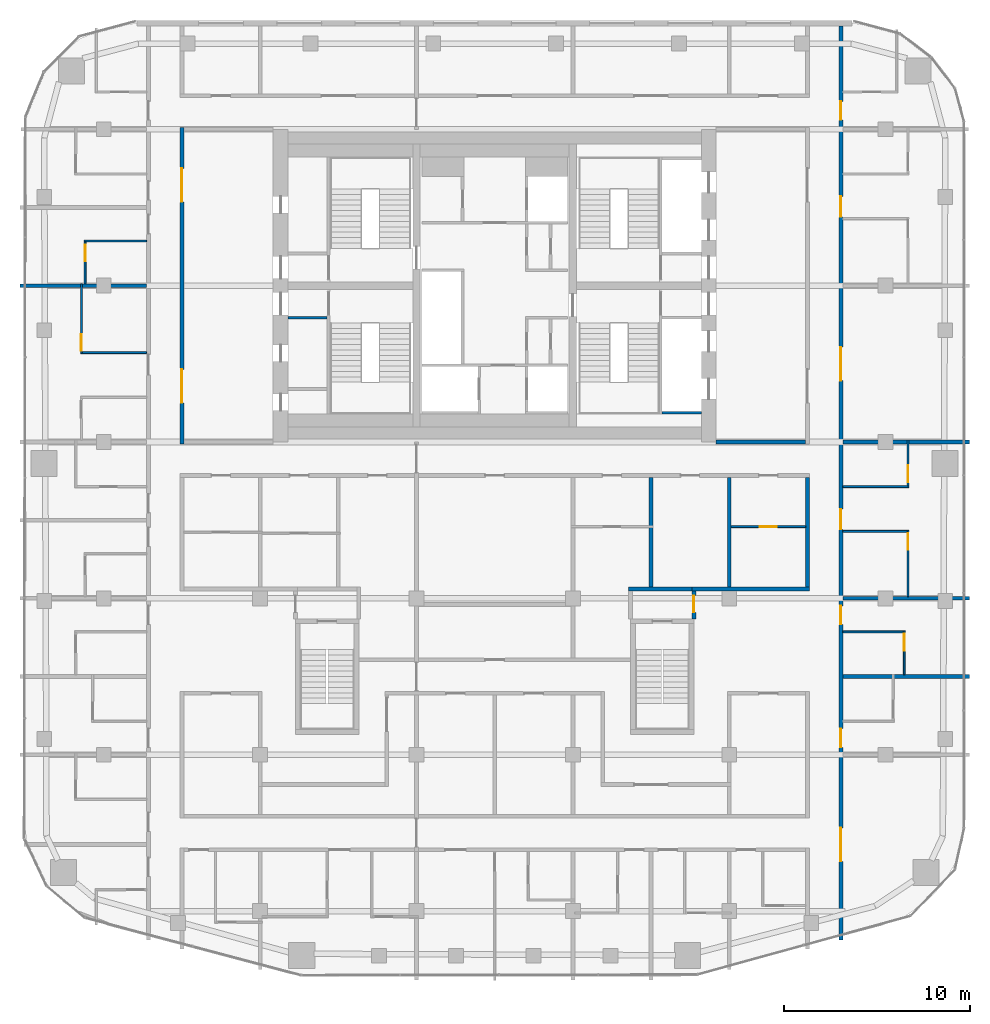
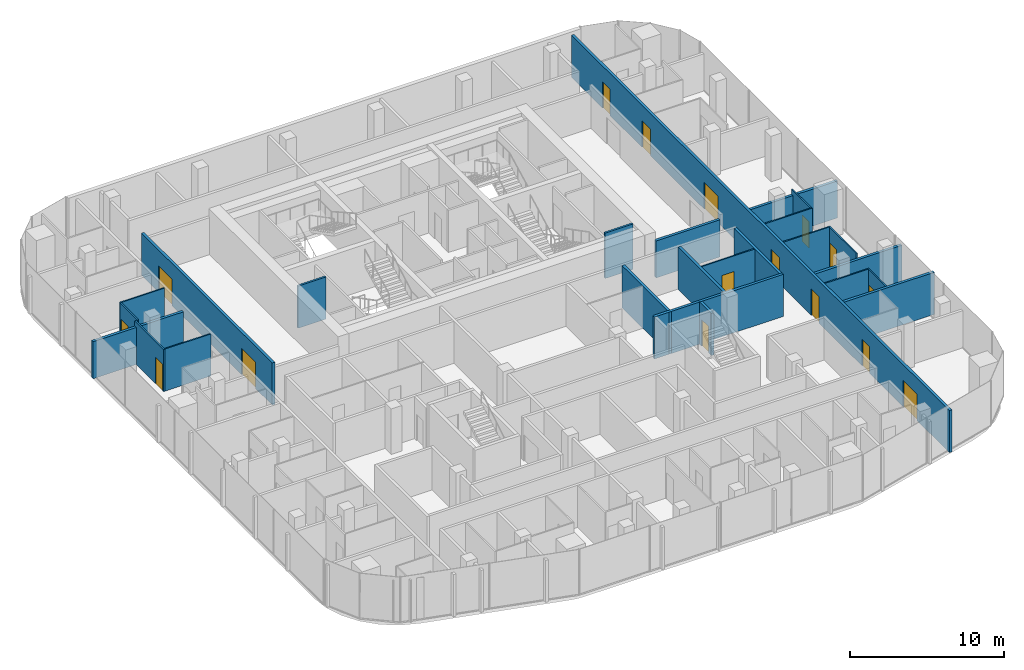
# One storey, part 17 of 22: 26 walls, 16 doors, 16 openings.
"""IFC4 building model written with IfcOpenShell, lengths in metres."""

from ifc_helpers import new_model, si_unit, direction, frame, frame_2d, origin, place, context, subcontext, project, spatial, rectangle, extrude, material, layer, layer_set, type_object, element, fill, save


model = new_model("IFC4")

# Units and contexts
model_context = context("Model", 3, precision=1e-05, world=origin(), true_north=direction((0.0, 1.0)))
body_context = subcontext(model_context, "Body", "Model", "MODEL_VIEW")
ifc_project = project(units=[si_unit("LENGTHUNIT", "METRE"), si_unit("AREAUNIT", "SQUARE_METRE"), si_unit("VOLUMEUNIT", "CUBIC_METRE"), si_unit("PLANEANGLEUNIT", "RADIAN"), si_unit("MASSUNIT", "GRAM", prefix="KILO")], contexts=[model_context])

# Site, building, storey
site_placement = place(None, origin())
site = spatial("IfcSite", under=ifc_project, at=site_placement, CompositionType="ELEMENT")
building_placement = place(site_placement, origin())
building = spatial("IfcBuilding", under=site, at=building_placement, Name="Marenta Gate Hotel Tower", CompositionType="ELEMENT")
storey_placement = place(building_placement, frame((0.0, 0.0, 223.699951171875)))
storey = spatial("IfcBuildingStorey", under=building, at=storey_placement, Name="L52", CompositionType="ELEMENT", Elevation=223.699951171875)

# Wall, openings, doors
ifc_material_1 = material(Name="Concrete blockwork", Category="masonry")
ifc_layer_1 = layer(ifc_material_1, 0.199951171875)
ifc_layer_set_1 = layer_set([ifc_layer_1], Name="Concrete blockwork")
wall_type_1 = type_object("IfcWallType", Name="Core boundary wall 200 REI 180", PredefinedType="PARTITIONING", material=ifc_layer_set_1)
wall_1_placement = place(storey_placement, frame((-16.800048828125, -0.10009765625, 0.0), z_axis=(0.0, 0.0, 1.0), x_axis=(0.0, 1.0, 0.0)))
wall_1 = element("IfcWall", 1, at=wall_1_placement, inside=storey, type_object=wall_type_1, Name="L52-CP-BW-W", PredefinedType="PARTITIONING", context=body_context, shape_type="SweptSolid", body=[
    extrude(rectangle(XDim=17.0, YDim=0.199951171875, at=frame_2d((8.5, 0.0))), origin(), (0.0, 0.0, 1.0), 3.340087890625),
])
opening_1_placement = place(wall_1_placement, frame((2.199951171875, 0.0, 0.0)))
opening_1 = element("IfcOpeningElement", 2, at=opening_1_placement, cuts=wall_1, Name="Opening ED-Wa-B", PredefinedType="OPENING", context=body_context, shape_type="SweptSolid", body=[
    extrude(rectangle(XDim=1.800048828125, YDim=2.10009765625, at=frame_2d((0.89990234375, 1.050048828125))), frame((0.0, 0.10009765625, 0.0), z_axis=(0.0, -1.0, 0.0), x_axis=(1.0, 0.0, 0.0)), (0.0, 0.0, 1.0), 0.199951171875),
])
opening_2_placement = place(wall_1_placement, frame((13.0, 0.0, 0.0)))
opening_2 = element("IfcOpeningElement", 3, at=opening_2_placement, cuts=wall_1, Name="Opening ED-Wb-B", PredefinedType="OPENING", context=body_context, shape_type="SweptSolid", body=[
    extrude(rectangle(XDim=1.800048828125, YDim=2.10009765625, at=frame_2d((0.89990234375, 1.050048828125))), frame((0.0, 0.10009765625, 0.0), z_axis=(0.0, -1.0, 0.0), x_axis=(1.0, 0.0, 0.0)), (0.0, 0.0, 1.0), 0.199951171875),
])
ifc_material_2 = material(Name="Steel", Category="steel")
door_type_1 = type_object("IfcDoorType", Name="Core lobby entrance door 1800x2100 EI 60", OperationType="DOUBLE_DOOR_SINGLE_SWING", PredefinedType="DOOR", material=ifc_material_2)
door_1_placement = place(opening_1_placement, origin())
door_1 = element("IfcDoor", 4, at=door_1_placement, inside=storey, type_object=door_type_1, Name="ED-Wa-B", OperationType="DOUBLE_DOOR_SINGLE_SWING", OverallHeight=2.10009765625, OverallWidth=1.800048828125, PredefinedType="DOOR", context=body_context, shape_type="SweptSolid", body=[
    extrude(rectangle(XDim=1.800048828125, YDim=2.10009765625, at=frame_2d((0.89990234375, 1.050048828125))), frame((0.0, 0.02490234375, 0.0), z_axis=(0.0, -1.0, 0.0), x_axis=(1.0, 0.0, 0.0)), (0.0, 0.0, 1.0), 0.050048828125),
])
fill(opening_1, door_1)
door_2_placement = place(opening_2_placement, origin())
door_2 = element("IfcDoor", 5, at=door_2_placement, inside=storey, type_object=door_type_1, Name="ED-Wb-B", OperationType="DOUBLE_DOOR_SINGLE_SWING", OverallHeight=2.10009765625, OverallWidth=1.800048828125, PredefinedType="DOOR", context=body_context, shape_type="SweptSolid", body=[
    extrude(rectangle(XDim=1.800048828125, YDim=2.10009765625, at=frame_2d((0.89990234375, 1.050048828125))), frame((0.0, 0.02490234375, 0.0), z_axis=(0.0, -1.0, 0.0), x_axis=(1.0, 0.0, 0.0)), (0.0, 0.0, 1.0), 0.050048828125),
])
fill(opening_2, door_2)

# Walls
wall_2_placement = place(storey_placement, frame((11.89990234375, 0.0, 0.0), z_axis=(0.0, 0.0, 1.0), x_axis=(1.0, 0.0, 0.0)))
element("IfcWall", 6, at=wall_2_placement, inside=storey, type_object=wall_type_1, Name="L52-CP-EW-ES", PredefinedType="PARTITIONING", context=body_context, shape_type="SweptSolid", body=[
    extrude(rectangle(XDim=4.800048828125, YDim=0.199951171875, at=frame_2d((2.39990234375, 0.0))), origin(), (0.0, 0.0, 1.0), 2.93994140625),
])
ifc_material_3 = material(Name="Concrete blockwork", Category="masonry")
ifc_layer_2 = layer(ifc_material_3, 0.14990234375)
ifc_layer_set_2 = layer_set([ifc_layer_2], Name="Concrete blockwork")
wall_type_2 = type_object("IfcWallType", Name="Core room partition 150 REI 180", PredefinedType="PARTITIONING", material=ifc_layer_set_2)
wall_3_placement = place(storey_placement, frame((-11.10009765625, 6.675048828125, 0.0), z_axis=(0.0, 0.0, 1.0), x_axis=(1.0, 0.0, 0.0)))
element("IfcWall", 7, at=wall_3_placement, inside=storey, type_object=wall_type_2, Name="L52-CP-SW-WS-2", PredefinedType="PARTITIONING", context=body_context, shape_type="SweptSolid", body=[
    extrude(rectangle(XDim=2.10009765625, YDim=0.14990234375, at=frame_2d((1.050048828125, 0.0))), origin(), (0.0, 0.0, 1.0), 3.340087890625),
])
ifc_material_4 = material(Name="Concrete C40", Category="concrete")
ifc_layer_3 = layer(ifc_material_4, 0.14990234375)
ifc_layer_set_3 = layer_set([ifc_layer_3], Name="Concrete C40")
wall_type_3 = type_object("IfcWallType", Name="Core shaft wall 150 REI 180", PredefinedType="SHEAR", material=ifc_layer_set_3)
wall_4_placement = place(storey_placement, frame((9.0, 1.574951171875, 0.0), z_axis=(0.0, 0.0, 1.0), x_axis=(1.0, 0.0, 0.0)))
element("IfcWall", 8, at=wall_4_placement, inside=storey, type_object=wall_type_3, Name="L52-SHF-SW-ES-5", PredefinedType="SHEAR", context=body_context, shape_type="SweptSolid", body=[
    extrude(rectangle(XDim=2.10009765625, YDim=0.14990234375, at=frame_2d((1.050048828125, 0.0))), origin(), (0.0, 0.0, 1.0), 3.60009765625),
])
ifc_material_5 = material(Name="Concrete blockwork", Category="masonry")
ifc_layer_4 = layer(ifc_material_5, 0.199951171875)
ifc_layer_set_4 = layer_set([ifc_layer_4], Name="Concrete blockwork")
wall_type_4 = type_object("IfcWallType", Name="Room corridor wall 200 EI 120", PredefinedType="PARTITIONING", material=ifc_layer_set_4)
wall_5_placement = place(storey_placement, frame((16.800048828125, -7.800048828125, 0.0), z_axis=(0.0, 0.0, 1.0), x_axis=(0.0, 1.0, 0.0)))
element("IfcWall", 9, at=wall_5_placement, inside=storey, type_object=wall_type_4, Name="L52-PTN-W026", PredefinedType="PARTITIONING", context=body_context, shape_type="SweptSolid", body=[
    extrude(rectangle(XDim=5.900146484375, YDim=0.199951171875, at=frame_2d((2.9501953125, 0.0))), origin(), (0.0, 0.0, 1.0), 3.340087890625),
])
wall_6_placement = place(storey_placement, frame((10.60009765625, -7.89990234375, 0.0), z_axis=(0.0, 0.0, 1.0), x_axis=(1.0, 0.0, 0.0)))
element("IfcWall", 10, at=wall_6_placement, inside=storey, type_object=wall_type_4, Name="L52-PTN-W054", PredefinedType="PARTITIONING", context=body_context, shape_type="SweptSolid", body=[
    extrude(rectangle(XDim=6.2998046875, YDim=0.199951171875, at=frame_2d((3.14990234375, 0.0))), origin(), (0.0, 0.0, 1.0), 3.340087890625),
])

# Wall, openings, doors
ifc_material_6 = material(Name="Gypsum board on steel stud", Category="steel")
ifc_layer_5 = layer(ifc_material_6, 0.199951171875)
ifc_layer_set_5 = layer_set([ifc_layer_5], Name="Gypsum board on steel stud")
wall_type_5 = type_object("IfcWallType", Name="Room corridor wall 200 EI 60", PredefinedType="PARTITIONING", material=ifc_layer_set_5)
wall_7_placement = place(storey_placement, frame((18.60009765625, -26.7509765625, 0.0), z_axis=(0.0, 0.0, 1.0), x_axis=(0.0, 1.0, 0.0)))
wall_7 = element("IfcWall", 11, at=wall_7_placement, inside=storey, type_object=wall_type_5, Name="L52-PTN-W021", PredefinedType="PARTITIONING", context=body_context, shape_type="SweptSolid", body=[
    extrude(rectangle(XDim=49.091064453125, YDim=0.199951171875, at=frame_2d((24.54541015625, 0.0))), origin(), (0.0, 0.0, 1.0), 3.340087890625),
])
opening_3_placement = place(wall_7_placement, frame((4.22607421875, 0.0, 0.0)))
opening_3 = element("IfcOpeningElement", 12, at=opening_3_placement, cuts=wall_7, Name="Opening G19-17", PredefinedType="OPENING", context=body_context, shape_type="SweptSolid", body=[
    extrude(rectangle(XDim=1.800048828125, YDim=2.10009765625, at=frame_2d((0.89990234375, 1.050048828125))), frame((0.0, 0.10009765625, 0.0), z_axis=(0.0, -1.0, 0.0), x_axis=(1.0, 0.0, 0.0)), (0.0, 0.0, 1.0), 0.199951171875),
])
opening_4_placement = place(wall_7_placement, frame((10.35107421875, 0.0, 0.0)))
opening_4 = element("IfcOpeningElement", 13, at=opening_4_placement, cuts=wall_7, Name="Opening G19-18", PredefinedType="OPENING", context=body_context, shape_type="SweptSolid", body=[
    extrude(rectangle(XDim=1.0, YDim=2.10009765625, at=frame_2d((0.5, 1.050048828125))), frame((0.0, 0.10009765625, 0.0), z_axis=(0.0, -1.0, 0.0), x_axis=(1.0, 0.0, 0.0)), (0.0, 0.0, 1.0), 0.199951171875),
])
opening_5_placement = place(wall_7_placement, frame((16.950927734375, 0.0, 0.0)))
opening_5 = element("IfcOpeningElement", 14, at=opening_5_placement, cuts=wall_7, Name="Opening G19-20", PredefinedType="OPENING", context=body_context, shape_type="SweptSolid", body=[
    extrude(rectangle(XDim=1.0, YDim=2.10009765625, at=frame_2d((0.5, 1.050048828125))), frame((0.0, 0.10009765625, 0.0), z_axis=(0.0, -1.0, 0.0), x_axis=(1.0, 0.0, 0.0)), (0.0, 0.0, 1.0), 0.199951171875),
])
opening_6_placement = place(wall_7_placement, frame((22.051025390625, 0.0, 0.0)))
opening_6 = element("IfcOpeningElement", 15, at=opening_6_placement, cuts=wall_7, Name="Opening G19-22", PredefinedType="OPENING", context=body_context, shape_type="SweptSolid", body=[
    extrude(rectangle(XDim=1.10009765625, YDim=2.10009765625, at=frame_2d((0.550048828125, 1.050048828125))), frame((0.0, 0.10009765625, 0.0), z_axis=(0.0, -1.0, 0.0), x_axis=(1.0, 0.0, 0.0)), (0.0, 0.0, 1.0), 0.199951171875),
])
opening_7_placement = place(wall_7_placement, frame((30.051025390625, 0.0, 0.0)))
opening_7 = element("IfcOpeningElement", 16, at=opening_7_placement, cuts=wall_7, Name="Opening G19-25", PredefinedType="OPENING", context=body_context, shape_type="SweptSolid", body=[
    extrude(rectangle(XDim=1.800048828125, YDim=2.10009765625, at=frame_2d((0.89990234375, 1.050048828125))), frame((0.0, 0.10009765625, 0.0), z_axis=(0.0, -1.0, 0.0), x_axis=(1.0, 0.0, 0.0)), (0.0, 0.0, 1.0), 0.199951171875),
])
opening_8_placement = place(wall_7_placement, frame((38.85107421875, 0.0, 0.0)))
opening_8 = element("IfcOpeningElement", 17, at=opening_8_placement, cuts=wall_7, Name="Opening G19-26", PredefinedType="OPENING", context=body_context, shape_type="SweptSolid", body=[
    extrude(rectangle(XDim=1.10009765625, YDim=2.10009765625, at=frame_2d((0.550048828125, 1.050048828125))), frame((0.0, 0.10009765625, 0.0), z_axis=(0.0, -1.0, 0.0), x_axis=(1.0, 0.0, 0.0)), (0.0, 0.0, 1.0), 0.199951171875),
])
opening_9_placement = place(wall_7_placement, frame((44.051025390625, 0.0, 0.0)))
opening_9 = element("IfcOpeningElement", 18, at=opening_9_placement, cuts=wall_7, Name="Opening G19-29", PredefinedType="OPENING", context=body_context, shape_type="SweptSolid", body=[
    extrude(rectangle(XDim=1.0, YDim=2.10009765625, at=frame_2d((0.5, 1.050048828125))), frame((0.0, 0.10009765625, 0.0), z_axis=(0.0, -1.0, 0.0), x_axis=(1.0, 0.0, 0.0)), (0.0, 0.0, 1.0), 0.199951171875),
])
ifc_material_7 = material(Name="Timber door leaf", Category="wood")
door_type_2 = type_object("IfcDoorType", Name="Guest room door 1000x2100 EI 30", OperationType="NOTDEFINED", PredefinedType="DOOR", material=ifc_material_7)
door_3_placement = place(opening_4_placement, origin())
door_3 = element("IfcDoor", 19, at=door_3_placement, inside=storey, type_object=door_type_2, Name="L52-PD-D018", OperationType="SINGLE_SWING_RIGHT", OverallHeight=2.10009765625, OverallWidth=1.0, PredefinedType="DOOR", context=body_context, shape_type="SweptSolid", body=[
    extrude(rectangle(XDim=1.0, YDim=2.10009765625, at=frame_2d((0.5, 1.050048828125))), frame((0.0, 0.02490234375, 0.0), z_axis=(0.0, -1.0, 0.0), x_axis=(1.0, 0.0, 0.0)), (0.0, 0.0, 1.0), 0.050048828125),
])
fill(opening_4, door_3)
door_4_placement = place(opening_5_placement, origin())
door_4 = element("IfcDoor", 20, at=door_4_placement, inside=storey, type_object=door_type_2, Name="L52-PD-D020", OperationType="SINGLE_SWING_RIGHT", OverallHeight=2.10009765625, OverallWidth=1.0, PredefinedType="DOOR", context=body_context, shape_type="SweptSolid", body=[
    extrude(rectangle(XDim=1.0, YDim=2.10009765625, at=frame_2d((0.5, 1.050048828125))), frame((0.0, 0.02490234375, 0.0), z_axis=(0.0, -1.0, 0.0), x_axis=(1.0, 0.0, 0.0)), (0.0, 0.0, 1.0), 0.050048828125),
])
fill(opening_5, door_4)
door_5_placement = place(opening_9_placement, origin())
door_5 = element("IfcDoor", 21, at=door_5_placement, inside=storey, type_object=door_type_2, Name="L52-PD-D029", OperationType="SINGLE_SWING_LEFT", OverallHeight=2.10009765625, OverallWidth=1.0, PredefinedType="DOOR", context=body_context, shape_type="SweptSolid", body=[
    extrude(rectangle(XDim=1.0, YDim=2.10009765625, at=frame_2d((0.5, 1.050048828125))), frame((0.0, 0.02490234375, 0.0), z_axis=(0.0, -1.0, 0.0), x_axis=(1.0, 0.0, 0.0)), (0.0, 0.0, 1.0), 0.050048828125),
])
fill(opening_9, door_5)
ifc_material_8 = material(Name="Timber door leaf", Category="wood")
door_type_3 = type_object("IfcDoorType", Name="Guest room door 1100x2100 EI 30", OperationType="NOTDEFINED", PredefinedType="DOOR", material=ifc_material_8)
door_6_placement = place(opening_6_placement, origin())
door_6 = element("IfcDoor", 22, at=door_6_placement, inside=storey, type_object=door_type_3, Name="L52-PD-D022", OperationType="SINGLE_SWING_RIGHT", OverallHeight=2.10009765625, OverallWidth=1.10009765625, PredefinedType="DOOR", context=body_context, shape_type="SweptSolid", body=[
    extrude(rectangle(XDim=1.10009765625, YDim=2.10009765625, at=frame_2d((0.550048828125, 1.050048828125))), frame((0.0, 0.02490234375, 0.0), z_axis=(0.0, -1.0, 0.0), x_axis=(1.0, 0.0, 0.0)), (0.0, 0.0, 1.0), 0.050048828125),
])
fill(opening_6, door_6)
door_7_placement = place(opening_8_placement, origin())
door_7 = element("IfcDoor", 23, at=door_7_placement, inside=storey, type_object=door_type_3, Name="L52-PD-D026", OperationType="SINGLE_SWING_RIGHT", OverallHeight=2.10009765625, OverallWidth=1.10009765625, PredefinedType="DOOR", context=body_context, shape_type="SweptSolid", body=[
    extrude(rectangle(XDim=1.10009765625, YDim=2.10009765625, at=frame_2d((0.550048828125, 1.050048828125))), frame((0.0, 0.02490234375, 0.0), z_axis=(0.0, -1.0, 0.0), x_axis=(1.0, 0.0, 0.0)), (0.0, 0.0, 1.0), 0.050048828125),
])
fill(opening_8, door_7)
ifc_material_9 = material(Name="Timber door leaf", Category="wood")
door_type_4 = type_object("IfcDoorType", Name="Room amenity door 1800x2100 EI 30", OperationType="DOUBLE_DOOR_SINGLE_SWING", PredefinedType="DOOR", material=ifc_material_9)
door_8_placement = place(opening_3_placement, origin())
door_8 = element("IfcDoor", 24, at=door_8_placement, inside=storey, type_object=door_type_4, Name="L52-PD-D017", OperationType="DOUBLE_DOOR_SINGLE_SWING", OverallHeight=2.10009765625, OverallWidth=1.800048828125, PredefinedType="DOOR", context=body_context, shape_type="SweptSolid", body=[
    extrude(rectangle(XDim=1.800048828125, YDim=2.10009765625, at=frame_2d((0.89990234375, 1.050048828125))), frame((0.0, 0.02490234375, 0.0), z_axis=(0.0, -1.0, 0.0), x_axis=(1.0, 0.0, 0.0)), (0.0, 0.0, 1.0), 0.050048828125),
])
fill(opening_3, door_8)
door_9_placement = place(opening_7_placement, origin())
door_9 = element("IfcDoor", 25, at=door_9_placement, inside=storey, type_object=door_type_4, Name="L52-PD-D025", OperationType="DOUBLE_DOOR_SINGLE_SWING", OverallHeight=2.10009765625, OverallWidth=1.800048828125, PredefinedType="DOOR", context=body_context, shape_type="SweptSolid", body=[
    extrude(rectangle(XDim=1.800048828125, YDim=2.10009765625, at=frame_2d((0.89990234375, 1.050048828125))), frame((0.0, 0.02490234375, 0.0), z_axis=(0.0, -1.0, 0.0), x_axis=(1.0, 0.0, 0.0)), (0.0, 0.0, 1.0), 0.050048828125),
])
fill(opening_7, door_9)

# Wall, opening, door
ifc_material_10 = material(Name="Concrete blockwork", Category="masonry")
ifc_layer_6 = layer(ifc_material_10, 0.199951171875)
ifc_layer_set_6 = layer_set([ifc_layer_6], Name="Concrete blockwork")
wall_type_6 = type_object("IfcWallType", Name="Room corridor wall 200 REI 180", PredefinedType="PARTITIONING", material=ifc_layer_set_6)
wall_8_placement = place(storey_placement, frame((10.699951171875, -9.5, 0.0), z_axis=(0.0, 0.0, 1.0), x_axis=(0.0, 1.0, 0.0)))
wall_8 = element("IfcWall", 26, at=wall_8_placement, inside=storey, type_object=wall_type_6, Name="L52-PTN-W044", PredefinedType="PARTITIONING", context=body_context, shape_type="SweptSolid", body=[
    extrude(rectangle(XDim=1.5, YDim=0.199951171875, at=frame_2d((0.75, 0.0))), origin(), (0.0, 0.0, 1.0), 3.340087890625),
])
opening_10_placement = place(wall_8_placement, frame((0.35009765625, 0.0, 0.0)))
opening_10 = element("IfcOpeningElement", 27, at=opening_10_placement, cuts=wall_8, Name="Opening G19-72", PredefinedType="OPENING", context=body_context, shape_type="SweptSolid", body=[
    extrude(rectangle(XDim=0.89990234375, YDim=2.10009765625, at=frame_2d((0.449951171875, 1.050048828125))), frame((0.0, 0.10009765625, 0.0), z_axis=(0.0, -1.0, 0.0), x_axis=(1.0, 0.0, 0.0)), (0.0, 0.0, 1.0), 0.199951171875),
])
ifc_material_11 = material(Name="Hollow steel door set", Category="steel")
door_type_5 = type_object("IfcDoorType", Name="Stair vestibule door 900x2100 EI 60", OperationType="NOTDEFINED", PredefinedType="DOOR", material=ifc_material_11)
door_10_placement = place(opening_10_placement, origin())
door_10 = element("IfcDoor", 28, at=door_10_placement, inside=storey, type_object=door_type_5, Name="L52-PD-D072", OperationType="SINGLE_SWING_RIGHT", OverallHeight=2.10009765625, OverallWidth=0.89990234375, PredefinedType="DOOR", context=body_context, shape_type="SweptSolid", body=[
    extrude(rectangle(XDim=0.89990234375, YDim=2.10009765625, at=frame_2d((0.449951171875, 1.050048828125))), frame((0.0, 0.02490234375, 0.0), z_axis=(0.0, -1.0, 0.0), x_axis=(1.0, 0.0, 0.0)), (0.0, 0.0, 1.0), 0.050048828125),
])
fill(opening_10, door_10)

ifc_material_12 = material(Name="Gypsum board on steel stud", Category="steel")
ifc_layer_7 = layer(ifc_material_12, 0.10009765625)
ifc_layer_set_7 = layer_set([ifc_layer_7], Name="Gypsum board on steel stud")
wall_type_7 = type_object("IfcWallType", Name="Room partition 100", PredefinedType="PARTITIONING", material=ifc_layer_set_7)
wall_9_placement = place(storey_placement, frame((22.199951171875, -8.300048828125, 0.0), z_axis=(0.0, 0.0, 1.0), x_axis=(0.0, 1.0, 0.0)))
wall_9 = element("IfcWall", 29, at=wall_9_placement, inside=storey, type_object=wall_type_7, Name="L52-PTN-W010", PredefinedType="PARTITIONING", context=body_context, shape_type="SweptSolid", body=[
    extrude(rectangle(XDim=3.550048828125, YDim=0.10009765625, at=frame_2d((1.77490234375, 0.0))), origin(), (0.0, 0.0, 1.0), 3.340087890625),
])
opening_11_placement = place(wall_9_placement, frame((2.5, 0.0, 0.0)))
opening_11 = element("IfcOpeningElement", 30, at=opening_11_placement, cuts=wall_9, Name="Opening G19-23", PredefinedType="OPENING", context=body_context, shape_type="SweptSolid", body=[
    extrude(rectangle(XDim=0.89990234375, YDim=2.10009765625, at=frame_2d((0.449951171875, 1.050048828125))), frame((0.0, 0.050048828125, 0.0), z_axis=(0.0, -1.0, 0.0), x_axis=(1.0, 0.0, 0.0)), (0.0, 0.0, 1.0), 0.10009765625),
])
ifc_material_13 = material(Name="Timber door leaf", Category="wood")
door_type_6 = type_object("IfcDoorType", Name="Guest bathroom door 900x2100", OperationType="NOTDEFINED", PredefinedType="DOOR", material=ifc_material_13)
door_11_placement = place(opening_11_placement, origin())
door_11 = element("IfcDoor", 31, at=door_11_placement, inside=storey, type_object=door_type_6, Name="L52-PD-D023", OperationType="SINGLE_SWING_RIGHT", OverallHeight=2.10009765625, OverallWidth=0.89990234375, PredefinedType="DOOR", context=body_context, shape_type="SweptSolid", body=[
    extrude(rectangle(XDim=0.89990234375, YDim=2.10009765625, at=frame_2d((0.449951171875, 1.050048828125))), frame((0.0, 0.02490234375, 0.0), z_axis=(0.0, -1.0, 0.0), x_axis=(1.0, 0.0, 0.0)), (0.0, 0.0, 1.0), 0.050048828125),
])
fill(opening_11, door_11)

wall_10_placement = place(storey_placement, frame((22.199951171875, -2.35009765625, 0.0), z_axis=(0.0, 0.0, 1.0), x_axis=(0.0, 1.0, 0.0)))
wall_10 = element("IfcWall", 32, at=wall_10_placement, inside=storey, type_object=wall_type_7, Name="L52-PTN-W011", PredefinedType="PARTITIONING", context=body_context, shape_type="SweptSolid", body=[
    extrude(rectangle(XDim=2.4501953125, YDim=0.10009765625, at=frame_2d((1.22509765625, 0.0))), origin(), (0.0, 0.0, 1.0), 3.340087890625),
])
opening_12_placement = place(wall_10_placement, frame((0.199951171875, 0.0, 0.0)))
opening_12 = element("IfcOpeningElement", 33, at=opening_12_placement, cuts=wall_10, Name="Opening G19-24", PredefinedType="OPENING", context=body_context, shape_type="SweptSolid", body=[
    extrude(rectangle(XDim=0.89990234375, YDim=2.10009765625, at=frame_2d((0.449951171875, 1.050048828125))), frame((0.0, 0.050048828125, 0.0), z_axis=(0.0, -1.0, 0.0), x_axis=(1.0, 0.0, 0.0)), (0.0, 0.0, 1.0), 0.10009765625),
])
ifc_material_14 = material(Name="Timber door leaf", Category="wood")
door_type_7 = type_object("IfcDoorType", Name="Room inner door 900x2100", OperationType="NOTDEFINED", PredefinedType="DOOR", material=ifc_material_14)
door_12_placement = place(opening_12_placement, origin())
door_12 = element("IfcDoor", 34, at=door_12_placement, inside=storey, type_object=door_type_7, Name="L52-PD-D024", OperationType="SINGLE_SWING_LEFT", OverallHeight=2.10009765625, OverallWidth=0.89990234375, PredefinedType="DOOR", context=body_context, shape_type="SweptSolid", body=[
    extrude(rectangle(XDim=0.89990234375, YDim=2.10009765625, at=frame_2d((0.449951171875, 1.050048828125))), frame((0.0, 0.02490234375, 0.0), z_axis=(0.0, -1.0, 0.0), x_axis=(1.0, 0.0, 0.0)), (0.0, 0.0, 1.0), 0.050048828125),
])
fill(opening_12, door_12)

wall_11_placement = place(storey_placement, frame((22.0, -12.5, 0.0), z_axis=(0.0, 0.0, 1.0), x_axis=(0.0, 1.0, 0.0)))
wall_11 = element("IfcWall", 35, at=wall_11_placement, inside=storey, type_object=wall_type_7, Name="L52-PTN-W014", PredefinedType="PARTITIONING", context=body_context, shape_type="SweptSolid", body=[
    extrude(rectangle(XDim=2.35009765625, YDim=0.10009765625, at=frame_2d((1.175048828125, 0.0))), origin(), (0.0, 0.0, 1.0), 3.340087890625),
])
opening_13_placement = place(wall_11_placement, frame((1.300048828125, 0.0, 0.0)))
opening_13 = element("IfcOpeningElement", 36, at=opening_13_placement, cuts=wall_11, Name="Opening G19-21", PredefinedType="OPENING", context=body_context, shape_type="SweptSolid", body=[
    extrude(rectangle(XDim=0.89990234375, YDim=2.10009765625, at=frame_2d((0.449951171875, 1.050048828125))), frame((0.0, 0.050048828125, 0.0), z_axis=(0.0, -1.0, 0.0), x_axis=(1.0, 0.0, 0.0)), (0.0, 0.0, 1.0), 0.10009765625),
])
door_13_placement = place(opening_13_placement, origin())
door_13 = element("IfcDoor", 37, at=door_13_placement, inside=storey, type_object=door_type_6, Name="L52-PD-D021", OperationType="SINGLE_SWING_RIGHT", OverallHeight=2.10009765625, OverallWidth=0.89990234375, PredefinedType="DOOR", context=body_context, shape_type="SweptSolid", body=[
    extrude(rectangle(XDim=0.89990234375, YDim=2.10009765625, at=frame_2d((0.449951171875, 1.050048828125))), frame((0.0, 0.02490234375, 0.0), z_axis=(0.0, -1.0, 0.0), x_axis=(1.0, 0.0, 0.0)), (0.0, 0.0, 1.0), 0.050048828125),
])
fill(opening_13, door_13)

# Walls
wall_12_placement = place(storey_placement, frame((18.699951171875, -10.199951171875, 0.0), z_axis=(0.0, 0.0, 1.0), x_axis=(1.0, 0.0, 0.0)))
element("IfcWall", 38, at=wall_12_placement, inside=storey, type_object=wall_type_7, Name="L52-PTN-W047", PredefinedType="PARTITIONING", context=body_context, shape_type="SweptSolid", body=[
    extrude(rectangle(XDim=3.25, YDim=0.10009765625, at=frame_2d((1.625, 0.0))), origin(), (0.0, 0.0, 1.0), 3.340087890625),
])
wall_13_placement = place(storey_placement, frame((18.699951171875, -4.800048828125, 0.0), z_axis=(0.0, 0.0, 1.0), x_axis=(1.0, 0.0, 0.0)))
element("IfcWall", 39, at=wall_13_placement, inside=storey, type_object=wall_type_7, Name="L52-PTN-W063", PredefinedType="PARTITIONING", context=body_context, shape_type="SweptSolid", body=[
    extrude(rectangle(XDim=3.449951171875, YDim=0.10009765625, at=frame_2d((1.72509765625, 0.0))), origin(), (0.0, 0.0, 1.0), 3.340087890625),
])

# Wall, opening, door
wall_14_placement = place(storey_placement, frame((12.699951171875, -4.544921875, 0.0), z_axis=(0.0, 0.0, 1.0), x_axis=(1.0, 0.0, 0.0)))
wall_14 = element("IfcWall", 40, at=wall_14_placement, inside=storey, type_object=wall_type_7, Name="L52-PTN-W065", PredefinedType="PARTITIONING", context=body_context, shape_type="SweptSolid", body=[
    extrude(rectangle(XDim=4.0, YDim=0.10009765625, at=frame_2d((2.0, 0.0))), origin(), (0.0, 0.0, 1.0), 3.340087890625),
])
opening_14_placement = place(wall_14_placement, frame((1.550048828125, 0.0, 0.0)))
opening_14 = element("IfcOpeningElement", 41, at=opening_14_placement, cuts=wall_14, Name="Opening G19-10", PredefinedType="OPENING", context=body_context, shape_type="SweptSolid", body=[
    extrude(rectangle(XDim=0.89990234375, YDim=2.10009765625, at=frame_2d((0.449951171875, 1.050048828125))), frame((0.0, 0.050048828125, 0.0), z_axis=(0.0, -1.0, 0.0), x_axis=(1.0, 0.0, 0.0)), (0.0, 0.0, 1.0), 0.10009765625),
])
door_14_placement = place(opening_14_placement, origin())
door_14 = element("IfcDoor", 42, at=door_14_placement, inside=storey, type_object=door_type_7, Name="L52-PD-D010", OperationType="SINGLE_SWING_RIGHT", OverallHeight=2.10009765625, OverallWidth=0.89990234375, PredefinedType="DOOR", context=body_context, shape_type="SweptSolid", body=[
    extrude(rectangle(XDim=0.89990234375, YDim=2.10009765625, at=frame_2d((0.449951171875, 1.050048828125))), frame((0.0, 0.02490234375, 0.0), z_axis=(0.0, -1.0, 0.0), x_axis=(1.0, 0.0, 0.0)), (0.0, 0.0, 1.0), 0.050048828125),
])
fill(opening_14, door_14)

# Walls
wall_15_placement = place(storey_placement, frame((18.699951171875, -2.39990234375, 0.0), z_axis=(0.0, 0.0, 1.0), x_axis=(1.0, 0.0, 0.0)))
element("IfcWall", 43, at=wall_15_placement, inside=storey, type_object=wall_type_7, Name="L52-PTN-W072", PredefinedType="PARTITIONING", context=body_context, shape_type="SweptSolid", body=[
    extrude(rectangle(XDim=3.550048828125, YDim=0.10009765625, at=frame_2d((1.77490234375, 0.0))), origin(), (0.0, 0.0, 1.0), 3.340087890625),
])
wall_16_placement = place(storey_placement, frame((-22.14990234375, 4.800048828125, 0.0), z_axis=(0.0, 0.0, 1.0), x_axis=(1.0, 0.0, 0.0)))
element("IfcWall", 44, at=wall_16_placement, inside=storey, type_object=wall_type_7, Name="L52-PTN-W084", PredefinedType="PARTITIONING", context=body_context, shape_type="SweptSolid", body=[
    extrude(rectangle(XDim=3.449951171875, YDim=0.10009765625, at=frame_2d((1.72509765625, 0.0))), origin(), (0.0, 0.0, 1.0), 3.340087890625),
])
wall_17_placement = place(storey_placement, frame((-22.050048828125, 10.800048828125, 0.0), z_axis=(0.0, 0.0, 1.0), x_axis=(1.0, 0.0, 0.0)))
element("IfcWall", 45, at=wall_17_placement, inside=storey, type_object=wall_type_7, Name="L52-PTN-W093", PredefinedType="PARTITIONING", context=body_context, shape_type="SweptSolid", body=[
    extrude(rectangle(XDim=3.35009765625, YDim=0.10009765625, at=frame_2d((1.675048828125, 0.0))), origin(), (0.0, 0.0, 1.0), 3.340087890625),
])

# Wall, opening, door
wall_18_placement = place(storey_placement, frame((-22.0, 8.5, 0.0), z_axis=(0.0, 0.0, 1.0), x_axis=(0.0, 1.0, 0.0)))
wall_18 = element("IfcWall", 46, at=wall_18_placement, inside=storey, type_object=wall_type_7, Name="L52-PTN-W118", PredefinedType="PARTITIONING", context=body_context, shape_type="SweptSolid", body=[
    extrude(rectangle(XDim=2.25, YDim=0.10009765625, at=frame_2d((1.125, 0.0))), origin(), (0.0, 0.0, 1.0), 3.340087890625),
])
opening_15_placement = place(wall_18_placement, frame((1.199951171875, 0.0, 0.0)))
opening_15 = element("IfcOpeningElement", 47, at=opening_15_placement, cuts=wall_18, Name="Opening G19-66", PredefinedType="OPENING", context=body_context, shape_type="SweptSolid", body=[
    extrude(rectangle(XDim=0.89990234375, YDim=2.10009765625, at=frame_2d((0.449951171875, 1.050048828125))), frame((0.0, 0.050048828125, 0.0), z_axis=(0.0, -1.0, 0.0), x_axis=(1.0, 0.0, 0.0)), (0.0, 0.0, 1.0), 0.10009765625),
])
door_15_placement = place(opening_15_placement, origin())
door_15 = element("IfcDoor", 48, at=door_15_placement, inside=storey, type_object=door_type_6, Name="L52-PD-D066", OperationType="SINGLE_SWING_LEFT", OverallHeight=2.10009765625, OverallWidth=0.89990234375, PredefinedType="DOOR", context=body_context, shape_type="SweptSolid", body=[
    extrude(rectangle(XDim=0.89990234375, YDim=2.10009765625, at=frame_2d((0.449951171875, 1.050048828125))), frame((0.0, 0.02490234375, 0.0), z_axis=(0.0, -1.0, 0.0), x_axis=(1.0, 0.0, 0.0)), (0.0, 0.0, 1.0), 0.050048828125),
])
fill(opening_15, door_15)

wall_19_placement = place(storey_placement, frame((-22.199951171875, 4.75, 0.0), z_axis=(0.0, 0.0, 1.0), x_axis=(0.0, 1.0, 0.0)))
wall_19 = element("IfcWall", 49, at=wall_19_placement, inside=storey, type_object=wall_type_7, Name="L52-PTN-W120", PredefinedType="PARTITIONING", context=body_context, shape_type="SweptSolid", body=[
    extrude(rectangle(XDim=3.75, YDim=0.10009765625, at=frame_2d((1.875, 0.0))), origin(), (0.0, 0.0, 1.0), 3.340087890625),
])
opening_16_placement = place(wall_19_placement, frame((0.14990234375, 0.0, 0.0)))
opening_16 = element("IfcOpeningElement", 50, at=opening_16_placement, cuts=wall_19, Name="Opening G19-63", PredefinedType="OPENING", context=body_context, shape_type="SweptSolid", body=[
    extrude(rectangle(XDim=0.89990234375, YDim=2.10009765625, at=frame_2d((0.449951171875, 1.050048828125))), frame((0.0, 0.050048828125, 0.0), z_axis=(0.0, -1.0, 0.0), x_axis=(1.0, 0.0, 0.0)), (0.0, 0.0, 1.0), 0.10009765625),
])
door_16_placement = place(opening_16_placement, origin())
door_16 = element("IfcDoor", 51, at=door_16_placement, inside=storey, type_object=door_type_6, Name="L52-PD-D063", OperationType="SINGLE_SWING_RIGHT", OverallHeight=2.10009765625, OverallWidth=0.89990234375, PredefinedType="DOOR", context=body_context, shape_type="SweptSolid", body=[
    extrude(rectangle(XDim=0.89990234375, YDim=2.10009765625, at=frame_2d((0.449951171875, 1.050048828125))), frame((0.0, 0.02490234375, 0.0), z_axis=(0.0, -1.0, 0.0), x_axis=(1.0, 0.0, 0.0)), (0.0, 0.0, 1.0), 0.050048828125),
])
fill(opening_16, door_16)

# Walls
ifc_material_15 = material(Name="Concrete blockwork", Category="masonry")
ifc_layer_8 = layer(ifc_material_15, 0.199951171875)
ifc_layer_set_8 = layer_set([ifc_layer_8], Name="Concrete blockwork")
wall_type_8 = type_object("IfcWallType", Name="Room party wall 200 EI 120", PredefinedType="PARTITIONING", material=ifc_layer_set_8)
wall_20_placement = place(storey_placement, frame((12.60009765625, -7.800048828125, 0.0), z_axis=(0.0, 0.0, 1.0), x_axis=(0.0, 1.0, 0.0)))
element("IfcWall", 52, at=wall_20_placement, inside=storey, type_object=wall_type_8, Name="L52-PTN-W038", PredefinedType="PARTITIONING", context=body_context, shape_type="SweptSolid", body=[
    extrude(rectangle(XDim=5.900146484375, YDim=0.199951171875, at=frame_2d((2.9501953125, 0.0))), origin(), (0.0, 0.0, 1.0), 3.340087890625),
])
wall_21_placement = place(storey_placement, frame((8.39990234375, -8.0, 0.0), z_axis=(0.0, 0.0, 1.0), x_axis=(0.0, 1.0, 0.0)))
element("IfcWall", 53, at=wall_21_placement, inside=storey, type_object=wall_type_8, Name="L52-PTN-W050", PredefinedType="PARTITIONING", context=body_context, shape_type="SweptSolid", body=[
    extrude(rectangle(XDim=6.10009765625, YDim=0.199951171875, at=frame_2d((3.050048828125, 0.0))), origin(), (0.0, 0.0, 1.0), 3.340087890625),
])
ifc_material_16 = material(Name="Gypsum board on steel stud", Category="steel")
ifc_layer_9 = layer(ifc_material_16, 0.199951171875)
ifc_layer_set_9 = layer_set([ifc_layer_9], Name="Gypsum board on steel stud")
wall_type_9 = type_object("IfcWallType", Name="Room party wall 200 EI 60", PredefinedType="PARTITIONING", material=ifc_layer_set_9)
wall_22_placement = place(storey_placement, frame((18.699951171875, -12.60009765625, 0.0), z_axis=(0.0, 0.0, 1.0), x_axis=(1.0, 0.0, 0.0)))
element("IfcWall", 54, at=wall_22_placement, inside=storey, type_object=wall_type_9, Name="L52-PTN-W042", PredefinedType="PARTITIONING", context=body_context, shape_type="SweptSolid", body=[
    extrude(rectangle(XDim=6.800048828125, YDim=0.199951171875, at=frame_2d((3.39990234375, 0.0))), origin(), (0.0, 0.0, 1.0), 3.340087890625),
])
for number, where, z_axis, x_axis, name in (
    (55, (18.699951171875, -8.39990234375, 0.0), (0.0, 0.0, 1.0), (1.0, 0.0, 0.0), "L52-PTN-W052"),
    (56, (18.699951171875, 0.0, 0.0), (0.0, 0.0, 1.0), (1.0, 0.0, 0.0), "L52-PTN-W078"),
    (57, (-25.5, 8.39990234375, 0.0), (0.0, 0.0, 1.0), (1.0, 0.0, 0.0), "L52-PTN-W089"),
):
    element("IfcWall", number, at=place(storey_placement, frame(where, z_axis=z_axis, x_axis=x_axis)), inside=storey, type_object=wall_type_9, Name=name, PredefinedType="PARTITIONING", context=body_context, shape_type="SweptSolid", body=[
        extrude(rectangle(XDim=6.800048828125, YDim=0.199951171875, at=frame_2d((3.39990234375, 0.0))), origin(), (0.0, 0.0, 1.0), 2.93994140625),
    ])
ifc_material_17 = material(Name="Concrete blockwork", Category="masonry")
ifc_layer_10 = layer(ifc_material_17, 0.199951171875)
ifc_layer_set_10 = layer_set([ifc_layer_10], Name="Concrete blockwork")
wall_type_10 = type_object("IfcWallType", Name="Room party wall 200 REI 180", PredefinedType="PARTITIONING", material=ifc_layer_set_10)
wall_23_placement = place(storey_placement, frame((7.199951171875, -7.89990234375, 0.0), z_axis=(0.0, 0.0, 1.0), x_axis=(1.0, 0.0, 0.0)))
element("IfcWall", 58, at=wall_23_placement, inside=storey, type_object=wall_type_10, Name="L52-PTN-W056", PredefinedType="PARTITIONING", context=body_context, shape_type="SweptSolid", body=[
    extrude(rectangle(XDim=3.400146484375, YDim=0.199951171875, at=frame_2d((1.7001953125, 0.0))), origin(), (0.0, 0.0, 1.0), 3.340087890625),
])

save(model, "model.ifc")
